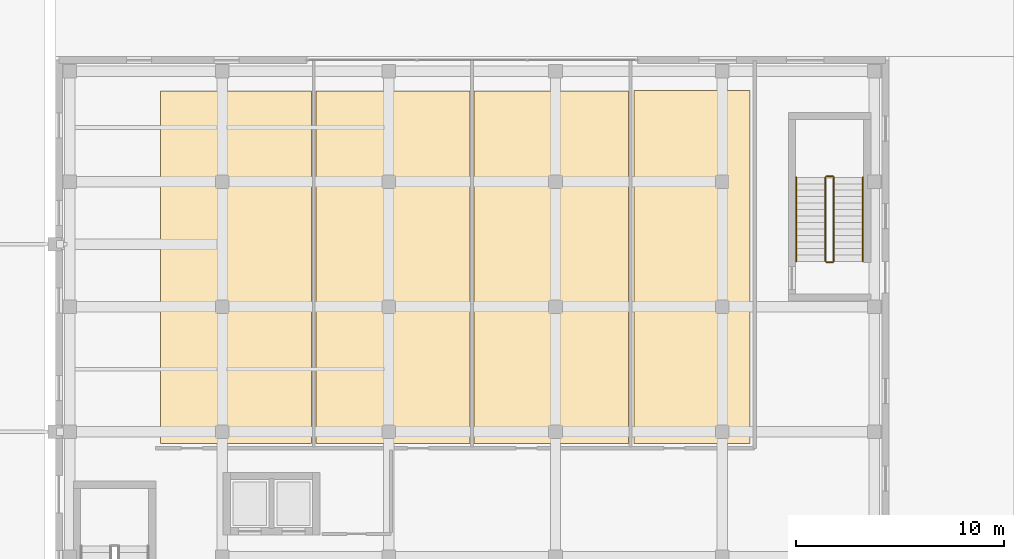
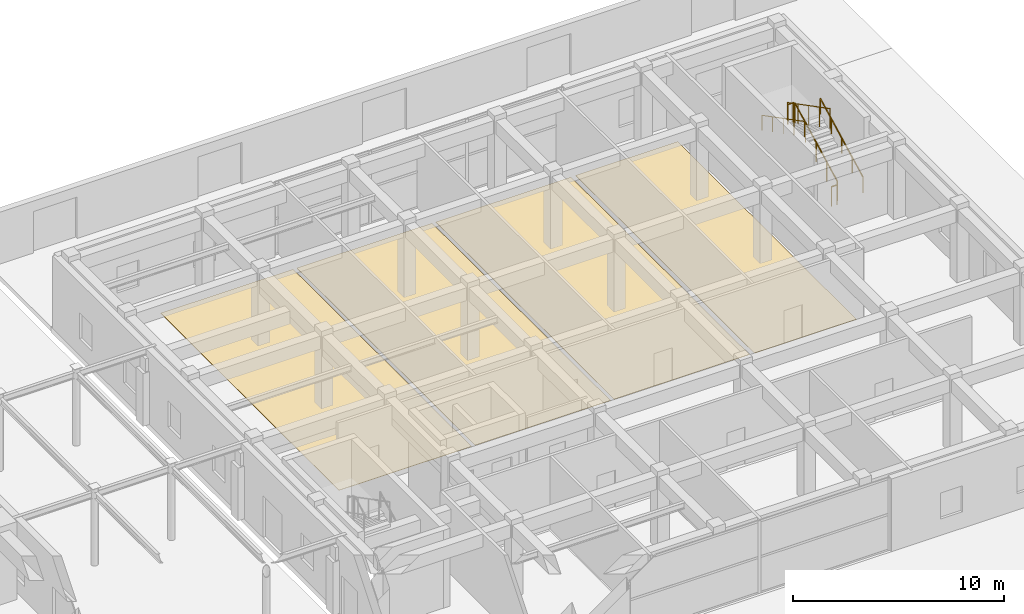
# One storey, part 37 of 39: 6 railings, 4 coverings.
"""IFC4 building model written with IfcOpenShell, lengths in metres."""

from ifc_helpers import new_model, si_unit, direction, frame, origin, origin_2d, place, context, subcontext, project, spatial, polyline, circle, outline, extrude, material, layer, layer_set, type_object, element, save


model = new_model("IFC4")

# Units and contexts
model_context = context("Model", 3, precision=1e-05, world=origin(), true_north=direction((0.0, 1.0)))
body_context = subcontext(model_context, "Body", "Model", "MODEL_VIEW")
ifc_project = project(units=[si_unit("LENGTHUNIT", "METRE"), si_unit("AREAUNIT", "SQUARE_METRE"), si_unit("VOLUMEUNIT", "CUBIC_METRE"), si_unit("PLANEANGLEUNIT", "RADIAN"), si_unit("MASSUNIT", "GRAM", prefix="KILO")], contexts=[model_context])

# Site, building, storey
site_placement = place(None, origin())
site = spatial("IfcSite", under=ifc_project, at=site_placement, CompositionType="ELEMENT")
building_placement = place(site_placement, origin())
building = spatial("IfcBuilding", under=site, at=building_placement, Name="Khoralis Quay Care Tower", CompositionType="ELEMENT")
storey_placement = place(building_placement, origin())
storey = spatial("IfcBuildingStorey", under=building, at=storey_placement, Name="L00", CompositionType="ELEMENT", Elevation=0.0)

# Coverings
ifc_material_1 = material(Name="Porcelain and non-slip vinyl flooring")
ifc_layer = layer(ifc_material_1, 0.02001953125)
ifc_layer_set = layer_set([ifc_layer], Name="Porcelain and non-slip vinyl flooring")
covering_type = type_object("IfcCoveringType", Name="COV-FLOOR-20", PredefinedType="FLOORING", material=ifc_layer_set)
covering_1_placement = place(storey_placement, origin())
element("IfcCovering", 1, at=covering_1_placement, inside=storey, type_object=covering_type, Name="Resilient Healthcare Flooring SP-L00-SCN-0", PredefinedType="FLOORING", context=body_context, shape_type="SweptSolid", body=[
    extrude(outline(polyline([(73.050048828125, 23.449951171875), (80.300048828125, 23.449951171875), (80.300048828125, 40.35009765625), (73.050048828125, 40.35009765625), (73.050048828125, 23.449951171875)])), origin(), (0.0, 0.0, 1.0), 0.02001953125),
])
covering_2_placement = place(storey_placement, origin())
element("IfcCovering", 2, at=covering_2_placement, inside=storey, type_object=covering_type, Name="Resilient Healthcare Flooring SP-L00-SCN-1", PredefinedType="FLOORING", context=body_context, shape_type="SweptSolid", body=[
    extrude(outline(polyline([(80.5, 23.449951171875), (87.89990234375, 23.449951171875), (87.89990234375, 40.35009765625), (80.5, 40.35009765625), (80.5, 23.449951171875)])), origin(), (0.0, 0.0, 1.0), 0.02001953125),
])
covering_3_placement = place(storey_placement, origin())
element("IfcCovering", 3, at=covering_3_placement, inside=storey, type_object=covering_type, Name="Resilient Healthcare Flooring SP-L00-SCN-2", PredefinedType="FLOORING", context=body_context, shape_type="SweptSolid", body=[
    extrude(outline(polyline([(88.10009765625, 23.449951171875), (95.5, 23.449951171875), (95.5, 40.35009765625), (88.10009765625, 40.35009765625), (88.10009765625, 23.449951171875)])), origin(), (0.0, 0.0, 1.0), 0.02001953125),
])
covering_4_placement = place(storey_placement, origin())
element("IfcCovering", 4, at=covering_4_placement, inside=storey, type_object=covering_type, Name="Resilient Healthcare Flooring SP-L00-SCN-3", PredefinedType="FLOORING", context=body_context, shape_type="SweptSolid", body=[
    extrude(outline(polyline([(95.760009765625, 23.429931640625), (101.340087890625, 23.429931640625), (101.340087890625, 40.3701171875), (95.760009765625, 40.3701171875), (95.760009765625, 23.429931640625)])), origin(), (0.0, 0.0, 1.0), 0.02001953125),
])

# Railings
ifc_material_2 = material(Name="Brushed stainless steel", Category="steel")
railing_type_1 = type_object("IfcRailingType", Name="RL-GUARD-1150", PredefinedType="GUARDRAIL", material=ifc_material_2)
railing_1_placement = place(storey_placement, frame((105.35009765625, 32.179931640625, 0.16064453125)))
element("IfcRailing", 5, at=railing_1_placement, inside=storey, type_object=railing_type_1, Name="L00 ST-S2 stair guard 1", PredefinedType="GUARDRAIL", context=body_context, shape_type="SweptSolid", body=[
    extrude(circle(Radius=0.02392578125, at=origin_2d()), frame((0.0, 0.0, 1.1259765625), z_axis=(0.0, 0.887780577991, 0.46026692836), x_axis=(-1.0, 0.0, 0.0)), (0.0, 0.0, 1.0), 4.53955078125),
    extrude(circle(Radius=0.02099609375, at=origin_2d()), origin(), (0.0, 0.0, 1.0), 1.101806640625),
    extrude(circle(Radius=0.02099609375, at=origin_2d()), frame((0.0, 1.007568359375, 0.5224609375)), (0.0, 0.0, 1.0), 1.101806640625),
    extrude(circle(Radius=0.02099609375, at=origin_2d()), frame((0.0, 2.01513671875, 1.044677734375)), (0.0, 0.0, 1.0), 1.101806640625),
    extrude(circle(Radius=0.02099609375, at=origin_2d()), frame((0.0, 3.0224609375, 1.56689453125)), (0.0, 0.0, 1.0), 1.101806640625),
    extrude(circle(Radius=0.02099609375, at=origin_2d()), frame((0.0, 4.030029296875, 2.08935546875)), (0.0, 0.0, 1.0), 1.101806640625),
])
railing_2_placement = place(storey_placement, frame((105.300048828125, 36.260009765625, 2.25)))
element("IfcRailing", 6, at=railing_2_placement, inside=storey, type_object=railing_type_1, Name="L00 ST-S2 stair guard 2", PredefinedType="GUARDRAIL", context=body_context, shape_type="SweptSolid", body=[
    extrude(circle(Radius=0.02392578125, at=origin_2d()), frame((0.0, 0.0, 1.1259765625), z_axis=(-1.0, 0.0, 0.0), x_axis=(0.0, -1.0, 0.0)), (0.0, 0.0, 1.0), 0.300048828125),
    extrude(circle(Radius=0.02099609375, at=origin_2d()), origin(), (0.0, 0.0, 1.0), 1.101806640625),
    extrude(circle(Radius=0.02099609375, at=origin_2d()), frame((-0.300048828125, 0.0, 0.0)), (0.0, 0.0, 1.0), 1.101806640625),
])
railing_3_placement = place(storey_placement, frame((104.949951171875, 36.2099609375, 2.41064453125)))
element("IfcRailing", 7, at=railing_3_placement, inside=storey, type_object=railing_type_1, Name="L00 ST-S2 stair guard 3", PredefinedType="GUARDRAIL", context=body_context, shape_type="SweptSolid", body=[
    extrude(circle(Radius=0.02392578125, at=origin_2d()), frame((0.0, 0.0, 1.1259765625), z_axis=(0.0, -0.887780577991, 0.46026692836), x_axis=(1.0, 0.0, 0.0)), (0.0, 0.0, 1.0), 4.53955078125),
    extrude(circle(Radius=0.02099609375, at=origin_2d()), origin(), (0.0, 0.0, 1.0), 1.101806640625),
    extrude(circle(Radius=0.02099609375, at=origin_2d()), frame((0.0, -1.007568359375, 0.5224609375)), (0.0, 0.0, 1.0), 1.101806640625),
    extrude(circle(Radius=0.02099609375, at=origin_2d()), frame((0.0, -2.01513671875, 1.044677734375)), (0.0, 0.0, 1.0), 1.101806640625),
    extrude(circle(Radius=0.02099609375, at=origin_2d()), frame((0.0, -3.0224609375, 1.56689453125)), (0.0, 0.0, 1.0), 1.101806640625),
    extrude(circle(Radius=0.02099609375, at=origin_2d()), frame((0.0, -4.030029296875, 2.08935546875)), (0.0, 0.0, 1.0), 1.101806640625),
])
railing_4_placement = place(storey_placement, frame((105.300048828125, 32.1298828125, 0.0)))
element("IfcRailing", 8, at=railing_4_placement, inside=storey, type_object=railing_type_1, Name="L00 ST-S2 stair guard 4", PredefinedType="GUARDRAIL", context=body_context, shape_type="SweptSolid", body=[
    extrude(circle(Radius=0.02392578125, at=origin_2d()), frame((0.0, 0.0, 1.1259765625), z_axis=(-1.0, 0.0, 0.0), x_axis=(0.0, -1.0, 0.0)), (0.0, 0.0, 1.0), 0.300048828125),
    extrude(circle(Radius=0.02099609375, at=origin_2d()), origin(), (0.0, 0.0, 1.0), 1.101806640625),
    extrude(circle(Radius=0.02099609375, at=origin_2d()), frame((-0.300048828125, 0.0, 0.0)), (0.0, 0.0, 1.0), 1.101806640625),
])
railing_type_2 = type_object("IfcRailingType", Name="RL-HAND-900", PredefinedType="HANDRAIL", material=ifc_material_2)
railing_5_placement = place(storey_placement, frame((106.75, 32.179931640625, 0.16064453125)))
element("IfcRailing", 9, at=railing_5_placement, inside=storey, type_object=railing_type_2, Name="L00 ST-S2 stair handrail 1", PredefinedType="HANDRAIL", context=body_context, shape_type="SweptSolid", body=[
    extrude(circle(Radius=0.02392578125, at=origin_2d()), frame((0.0, 0.0, 0.8759765625), z_axis=(0.0, 0.887780577991, 0.46026692836), x_axis=(-1.0, 0.0, 0.0)), (0.0, 0.0, 1.0), 4.53955078125),
    extrude(circle(Radius=0.02099609375, at=origin_2d()), origin(), (0.0, 0.0, 1.0), 0.851806640625),
    extrude(circle(Radius=0.02099609375, at=origin_2d()), frame((0.0, 1.007568359375, 0.5224609375)), (0.0, 0.0, 1.0), 0.851806640625),
    extrude(circle(Radius=0.02099609375, at=origin_2d()), frame((0.0, 2.01513671875, 1.044677734375)), (0.0, 0.0, 1.0), 0.851806640625),
    extrude(circle(Radius=0.02099609375, at=origin_2d()), frame((0.0, 3.0224609375, 1.56689453125)), (0.0, 0.0, 1.0), 0.851806640625),
    extrude(circle(Radius=0.02099609375, at=origin_2d()), frame((0.0, 4.030029296875, 2.08935546875)), (0.0, 0.0, 1.0), 0.851806640625),
])
railing_6_placement = place(storey_placement, frame((103.550048828125, 36.2099609375, 2.41064453125)))
element("IfcRailing", 10, at=railing_6_placement, inside=storey, type_object=railing_type_2, Name="L00 ST-S2 stair handrail 2", PredefinedType="HANDRAIL", context=body_context, shape_type="SweptSolid", body=[
    extrude(circle(Radius=0.02392578125, at=origin_2d()), frame((0.0, 0.0, 0.8759765625), z_axis=(0.0, -0.887780577991, 0.46026692836), x_axis=(1.0, 0.0, 0.0)), (0.0, 0.0, 1.0), 4.53955078125),
    extrude(circle(Radius=0.02099609375, at=origin_2d()), origin(), (0.0, 0.0, 1.0), 0.851806640625),
    extrude(circle(Radius=0.02099609375, at=origin_2d()), frame((0.0, -1.007568359375, 0.5224609375)), (0.0, 0.0, 1.0), 0.851806640625),
    extrude(circle(Radius=0.02099609375, at=origin_2d()), frame((0.0, -2.01513671875, 1.044677734375)), (0.0, 0.0, 1.0), 0.851806640625),
    extrude(circle(Radius=0.02099609375, at=origin_2d()), frame((0.0, -3.0224609375, 1.56689453125)), (0.0, 0.0, 1.0), 0.851806640625),
    extrude(circle(Radius=0.02099609375, at=origin_2d()), frame((0.0, -4.030029296875, 2.08935546875)), (0.0, 0.0, 1.0), 0.851806640625),
])

save(model, "model.ifc")
